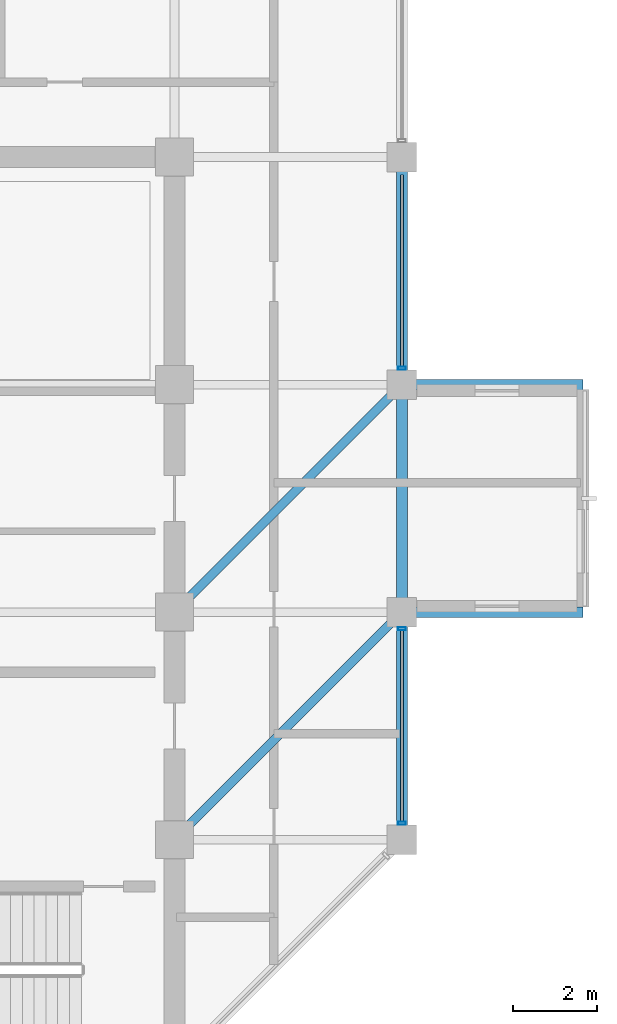
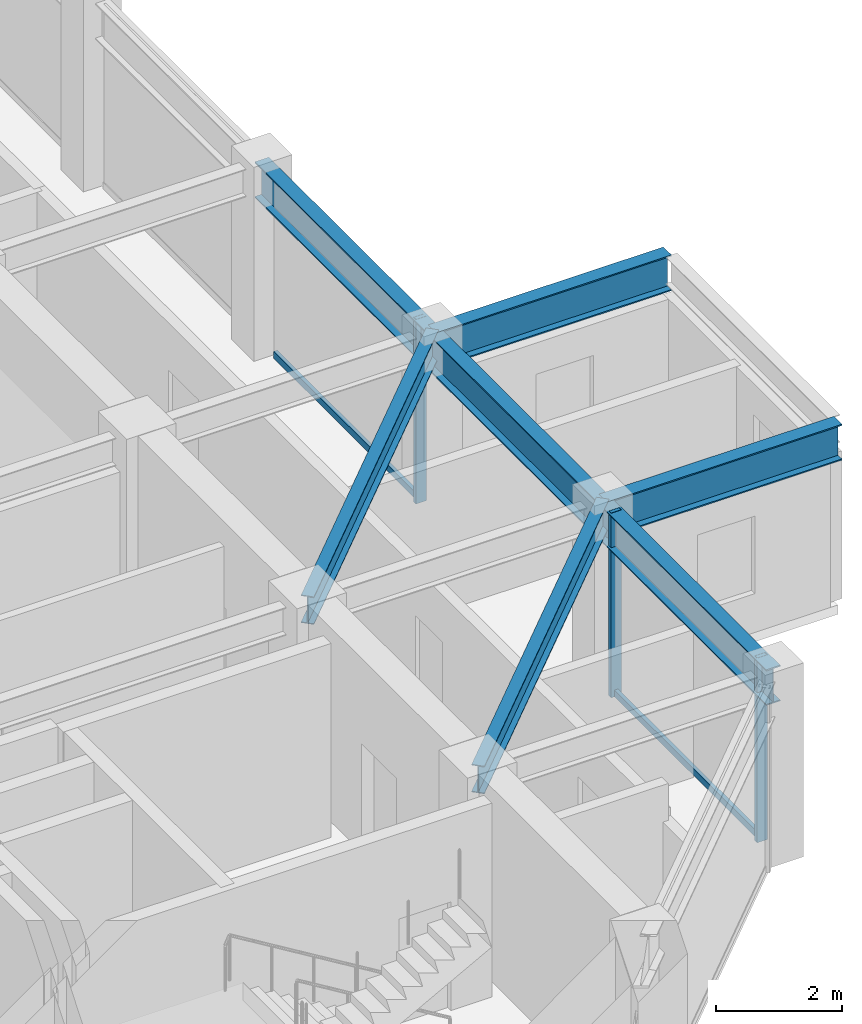
# One storey, part 13 of 32: 7 beams, 5 members, 2 elements without a shape of their own.
"""IFC4 building model written with IfcOpenShell, lengths in metres."""

from ifc_helpers import new_model, si_unit, direction, frame, origin, origin_2d, place, context, subcontext, project, spatial, hollow_rectangle, i_section, extrude, material, layer, layer_set, material_profile, profile_set, type_object, element, aggregate, save


model = new_model("IFC4")

# Units and contexts
model_context = context("Model", 3, precision=1e-05, world=origin(), true_north=direction((0.0, 1.0)))
body_context = subcontext(model_context, "Body", "Model", "MODEL_VIEW")
ifc_project = project(units=[si_unit("LENGTHUNIT", "METRE"), si_unit("AREAUNIT", "SQUARE_METRE"), si_unit("VOLUMEUNIT", "CUBIC_METRE"), si_unit("PLANEANGLEUNIT", "RADIAN"), si_unit("MASSUNIT", "GRAM", prefix="KILO")], contexts=[model_context])

# Site, building, storey
site_placement = place(None, origin())
site = spatial("IfcSite", under=ifc_project, at=site_placement, CompositionType="ELEMENT")
building_placement = place(site_placement, origin())
building = spatial("IfcBuilding", under=site, at=building_placement, Name="Surkhivell Harbour Commons", CompositionType="ELEMENT")
storey_placement = place(building_placement, frame((0.0, 0.0, 311.25)))
storey = spatial("IfcBuildingStorey", under=building, at=storey_placement, Name="L81", CompositionType="ELEMENT", Elevation=311.25)

# Beams
ifc_material_1 = material(Name="Steel S460", Category="steel")
ifc_material_profile_1 = material_profile(ifc_material_1, i_section(OverallWidth=0.256103515625, OverallDepth=0.693115234375, WebThickness=0.014404296875, FlangeThickness=0.023681640625, at=origin_2d()), Name="UB686x254x170")
ifc_profile_set_1 = profile_set([ifc_material_profile_1], Name="Steel S460")
beam_type_1 = type_object("IfcBeamType", Name="BM-CNT-686", PredefinedType="BEAM", material=ifc_profile_set_1)
for number, where, z_axis, x_axis, name in (
    (1, (16.199951171875, 0.0, 3.223388671875), (1.0, 0.0, 0.0), (0.0, 1.0, 0.0), "L81 Box Cantilever Outrigger (16.2,0.0)"),
    (2, (16.199951171875, 5.39990234375, 3.223388671875), (1.0, 0.0, 0.0), (0.0, 1.0, 0.0), "L81 Box Cantilever Outrigger (16.2,5.4)"),
):
    element("IfcBeam", number, at=place(storey_placement, frame(where, z_axis=z_axis, x_axis=x_axis)), inside=storey, type_object=beam_type_1, Name=name, PredefinedType="BEAM", context=body_context, shape_type="SweptSolid", body=[
        extrude(i_section(OverallWidth=0.256103515625, OverallDepth=0.693115234375, WebThickness=0.014404296875, FlangeThickness=0.023681640625, at=origin_2d()), origin(), (0.0, 0.0, 1.0), 4.300048828125),
    ])
ifc_material_2 = material(Name="Steel S355", Category="steel")
ifc_material_profile_2 = material_profile(ifc_material_2, i_section(OverallWidth=0.2099609375, OverallDepth=0.537109375, WebThickness=0.0107421875, FlangeThickness=0.017333984375, at=origin_2d()), Name="UB533x210x101")
ifc_profile_set_2 = profile_set([ifc_material_profile_2], Name="Steel S355")
beam_type_2 = type_object("IfcBeamType", Name="BM-GRD-533B", PredefinedType="BEAM", material=ifc_profile_set_2)
for number, where, z_axis, x_axis, name in (
    (3, (10.800048828125, -5.39990234375, 3.301513671875), (0.707106781187, 0.707106781187, 0.0), (-0.707106781187, 0.707106781187, 0.0), "L81 Floor Girder (10.8,-5.4)"),
    (4, (10.800048828125, 0.0, 3.301513671875), (0.707106781187, 0.707106781187, 0.0), (-0.707106781187, 0.707106781187, 0.0), "L81 Floor Girder (10.8,0.0)"),
):
    element("IfcBeam", number, at=place(storey_placement, frame(where, z_axis=z_axis, x_axis=x_axis)), inside=storey, type_object=beam_type_2, Name=name, PredefinedType="BEAM", context=body_context, shape_type="SweptSolid", body=[
        extrude(i_section(OverallWidth=0.2099609375, OverallDepth=0.537109375, WebThickness=0.0107421875, FlangeThickness=0.017333984375, at=origin_2d()), origin(), (0.0, 0.0, 1.0), 7.63671875),
    ])
ifc_material_profile_3 = material_profile(ifc_material_2, i_section(OverallWidth=0.256103515625, OverallDepth=0.693115234375, WebThickness=0.014404296875, FlangeThickness=0.023681640625, at=origin_2d()), Name="UB686x254x170")
ifc_profile_set_3 = profile_set([ifc_material_profile_3], Name="Steel S355")
beam_type_3 = type_object("IfcBeamType", Name="BM-SPN-686", PredefinedType="SPANDREL", material=ifc_profile_set_3)
for number, where, z_axis, x_axis, name in (
    (5, (16.199951171875, -5.39990234375, 3.223388671875), (0.0, 1.0, 0.0), (-1.0, 0.0, 0.0), "L81 Tube Spandrel (16.2,-5.4)"),
    (6, (16.199951171875, 0.0, 3.223388671875), (0.0, 1.0, 0.0), (-1.0, 0.0, 0.0), "L81 Tube Spandrel (16.2,0.0)"),
):
    element("IfcBeam", number, at=place(storey_placement, frame(where, z_axis=z_axis, x_axis=x_axis)), inside=storey, type_object=beam_type_3, Name=name, PredefinedType="SPANDREL", context=body_context, shape_type="SweptSolid", body=[
        extrude(i_section(OverallWidth=0.256103515625, OverallDepth=0.693115234375, WebThickness=0.014404296875, FlangeThickness=0.023681640625, at=origin_2d()), origin(), (0.0, 0.0, 1.0), 5.39990234375),
    ])
beam_placement = place(storey_placement, frame((16.199951171875, 5.39990234375, 3.223388671875), z_axis=(0.0, 1.0, 0.0), x_axis=(-1.0, 0.0, 0.0)))
element("IfcBeam", 7, at=beam_placement, inside=storey, type_object=beam_type_3, Name="L81 Tube Spandrel (16.2,5.4)", PredefinedType="SPANDREL", context=body_context, shape_type="SweptSolid", body=[
    extrude(i_section(OverallWidth=0.256103515625, OverallDepth=0.693115234375, WebThickness=0.014404296875, FlangeThickness=0.023681640625, at=origin_2d()), origin(), (0.0, 0.0, 1.0), 5.400146484375),
])

# Curtain wall, members
ifc_material_3 = material(Name="Anodised pale-metal aluminium and insulated glazing", Category="aluminium")
ifc_layer = layer(ifc_material_3, 0.175048828125)
ifc_layer_set = layer_set([ifc_layer], Name="Anodised pale-metal aluminium and insulated glazing")
curtain_wall_type = type_object("IfcCurtainWallType", Name="CW-SYS-Z4", PredefinedType="NOTDEFINED", material=ifc_layer_set)
curtain_wall_1_placement = place(storey_placement, origin())
curtain_wall_1 = element("IfcCurtainWall", 8, at=curtain_wall_1_placement, inside=storey, type_object=curtain_wall_type, Name="L81 Curtain Wall CW-L81-E02R1", PredefinedType="NOTDEFINED")
ifc_material_4 = material(Name="Anodised pale-metal aluminium alloy 6063-T6", Category="aluminium")
ifc_material_profile_4 = material_profile(ifc_material_4, hollow_rectangle(XDim=0.074951171875, YDim=0.18994140625, WallThickness=0.00390625, at=origin_2d()), Name="ALU-MULL-75x190")
ifc_profile_set_4 = profile_set([ifc_material_profile_4], Name="Anodised pale-metal aluminium alloy 6063-T6")
member_type_1 = type_object("IfcMemberType", Name="CWM-190", PredefinedType="MULLION", material=ifc_profile_set_4)
member_1_placement = place(storey_placement, frame((16.199951171875, -5.010498046875, 0.0), z_axis=(0.0, 0.0, 1.0), x_axis=(0.0, 1.0, 0.0)))
member_1 = element("IfcMember", 9, at=member_1_placement, type_object=member_type_1, Name="CW-Z4 mullion 1", PredefinedType="MULLION", context=body_context, shape_type="SweptSolid", body=[
    extrude(hollow_rectangle(XDim=0.074951171875, YDim=0.18994140625, WallThickness=0.00390625, at=origin_2d()), origin(), (0.0, 0.0, 1.0), 3.570068359375),
])
member_2_placement = place(storey_placement, frame((16.199951171875, -0.389404296875, 0.0), z_axis=(0.0, 0.0, 1.0), x_axis=(0.0, 1.0, 0.0)))
member_2 = element("IfcMember", 10, at=member_2_placement, type_object=member_type_1, Name="CW-Z4 mullion 2", PredefinedType="MULLION", context=body_context, shape_type="SweptSolid", body=[
    extrude(hollow_rectangle(XDim=0.074951171875, YDim=0.18994140625, WallThickness=0.00390625, at=origin_2d()), origin(), (0.0, 0.0, 1.0), 3.570068359375),
])

# Curtain wall, member
curtain_wall_2_placement = place(storey_placement, origin())
curtain_wall_2 = element("IfcCurtainWall", 11, at=curtain_wall_2_placement, inside=storey, type_object=curtain_wall_type, Name="L81 Curtain Wall CW-L81-E02R2", PredefinedType="NOTDEFINED")
member_3_placement = place(storey_placement, frame((16.199951171875, 5.78955078125, 0.0), z_axis=(0.0, 0.0, 1.0), x_axis=(0.0, 1.0, 0.0)))
member_3 = element("IfcMember", 12, at=member_3_placement, type_object=member_type_1, Name="CW-Z4 mullion 1", PredefinedType="MULLION", context=body_context, shape_type="SweptSolid", body=[
    extrude(hollow_rectangle(XDim=0.074951171875, YDim=0.18994140625, WallThickness=0.00390625, at=origin_2d()), origin(), (0.0, 0.0, 1.0), 3.570068359375),
])

# Member
ifc_material_5 = material(Name="Champagne anodised aluminium alloy 6063-T6", Category="aluminium")
ifc_material_profile_5 = material_profile(ifc_material_5, hollow_rectangle(XDim=0.070068359375, YDim=0.1298828125, WallThickness=0.00341796875, at=origin_2d()), Name="ALU-TRAN-70x130")
ifc_profile_set_5 = profile_set([ifc_material_profile_5], Name="Champagne anodised aluminium alloy 6063-T6")
member_type_2 = type_object("IfcMemberType", Name="CWT-130", PredefinedType="USERDEFINED", material=ifc_profile_set_5)
member_4_placement = place(storey_placement, frame((16.199951171875, -4.972900390625, 0.06494140625), z_axis=(0.0, 1.0, 0.0), x_axis=(-1.0, 0.0, 0.0)))
member_4 = element("IfcMember", 13, at=member_4_placement, type_object=member_type_2, Name="CW-Z4 transom 1.1", ObjectType="TRANSOM", PredefinedType="USERDEFINED", context=body_context, shape_type="SweptSolid", body=[
    extrude(hollow_rectangle(XDim=0.070068359375, YDim=0.1298828125, WallThickness=0.00341796875, at=origin_2d()), origin(), (0.0, 0.0, 1.0), 4.5458984375),
])

aggregate(curtain_wall_1, [member_1, member_2, member_4])

member_5_placement = place(storey_placement, frame((16.199951171875, 5.826904296875, 0.06494140625), z_axis=(0.0, 1.0, 0.0), x_axis=(-1.0, 0.0, 0.0)))
member_5 = element("IfcMember", 14, at=member_5_placement, type_object=member_type_2, Name="CW-Z4 transom 1.1", ObjectType="TRANSOM", PredefinedType="USERDEFINED", context=body_context, shape_type="SweptSolid", body=[
    extrude(hollow_rectangle(XDim=0.070068359375, YDim=0.1298828125, WallThickness=0.00341796875, at=origin_2d()), origin(), (0.0, 0.0, 1.0), 4.546142578125),
])

aggregate(curtain_wall_2, [member_3, member_5])

save(model, "model.ifc")
